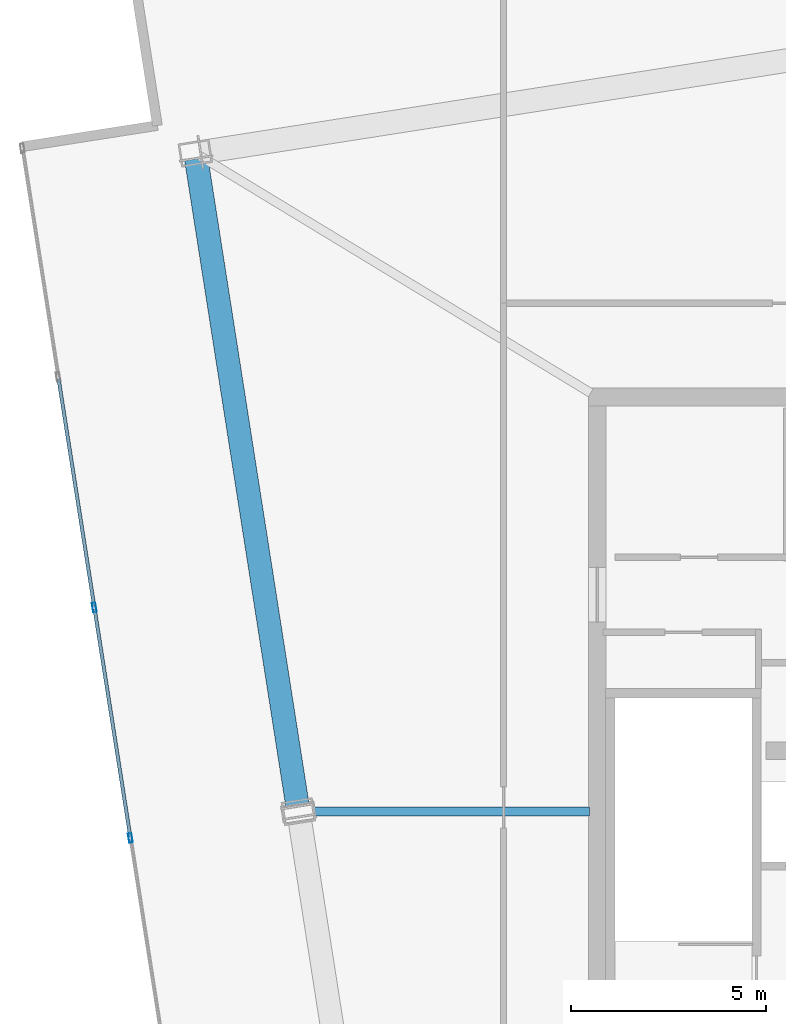
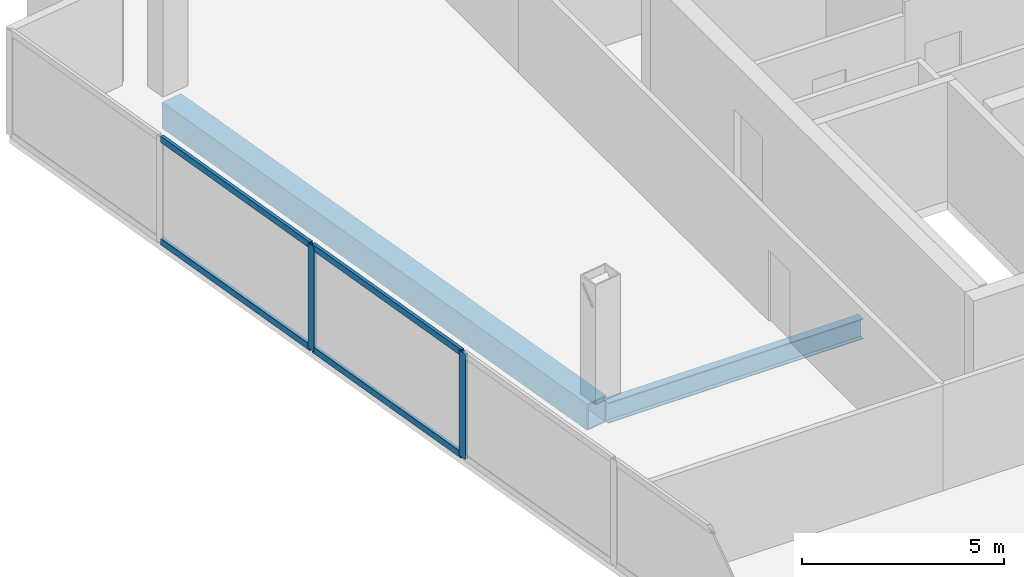
# One storey, part 5 of 17: 6 members, 2 beams, 1 element without a shape of its own.
"""IFC4 building model written with IfcOpenShell, lengths in metres."""

from ifc_helpers import new_model, si_unit, direction, frame, origin, origin_2d, place, context, subcontext, project, spatial, hollow_rectangle, i_section, extrude, material, material_profile, profile_set, type_object, element, aggregate, save


model = new_model("IFC4")

# Units and contexts
model_context = context("Model", 3, precision=1e-05, world=origin(), true_north=direction((0.0, 1.0)))
body_context = subcontext(model_context, "Body", "Model", "MODEL_VIEW")
ifc_project = project(units=[si_unit("LENGTHUNIT", "METRE"), si_unit("AREAUNIT", "SQUARE_METRE"), si_unit("VOLUMEUNIT", "CUBIC_METRE"), si_unit("PLANEANGLEUNIT", "RADIAN"), si_unit("MASSUNIT", "GRAM", prefix="KILO")], contexts=[model_context])

# Site, building, storey
site_placement = place(None, origin())
site = spatial("IfcSite", under=ifc_project, at=site_placement, CompositionType="ELEMENT")
building_placement = place(site_placement, origin())
building = spatial("IfcBuilding", under=site, at=building_placement, Name="Haldenkirk Collegiate Tower", CompositionType="ELEMENT")
storey_placement = place(building_placement, frame((0.0, 0.0, 371.39990234375)))
storey = spatial("IfcBuildingStorey", under=building, at=storey_placement, Name="L94", CompositionType="ELEMENT", Elevation=371.39990234375)

# Beams
ifc_material_1 = material(Name="Steel ASTM A992 Grade 50", Category="steel")
ifc_material_profile_1 = material_profile(ifc_material_1, i_section(OverallWidth=0.22998046875, OverallDepth=0.616943359375, WebThickness=0.01318359375, FlangeThickness=0.022216796875, at=origin_2d()), Name="W24X94")
ifc_profile_set_1 = profile_set([ifc_material_profile_1], Name="Steel ASTM A992 Grade 50")
beam_type_1 = type_object("IfcBeamType", Name="BM-GIRDER-W24X94", PredefinedType="BEAM", material=ifc_profile_set_1)
beam_1_placement = place(storey_placement, frame((19.5029296875, 23.39306640625, -0.578369140625), z_axis=(1.0, 0.0, 0.0), x_axis=(0.0, 1.0, 0.0)))
element("IfcBeam", 1, at=beam_1_placement, inside=storey, type_object=beam_type_1, Name="L94 crown radial floor beam 6", PredefinedType="BEAM", context=body_context, shape_type="SweptSolid", body=[
    extrude(i_section(OverallWidth=0.22998046875, OverallDepth=0.616943359375, WebThickness=0.01318359375, FlangeThickness=0.022216796875, at=origin_2d()), origin(), (0.0, 0.0, 1.0), 7.297119140625),
])
ifc_material_2 = material(Name="Steel ASTM A572 Grade 50", Category="steel")
ifc_material_profile_2 = material_profile(ifc_material_2, hollow_rectangle(XDim=0.60009765625, YDim=0.800048828125, WallThickness=0.0400390625, at=origin_2d()), Name="BOX800X600X40")
ifc_profile_set_2 = profile_set([ifc_material_profile_2], Name="Steel ASTM A572 Grade 50")
beam_type_2 = type_object("IfcBeamType", Name="BM-SPANDREL-BOX800X600X40", PredefinedType="SPANDREL", material=ifc_profile_set_2)
beam_2_placement = place(storey_placement, frame((16.73828125, 40.089599609375, -0.669921875), z_axis=(0.154705009471, -0.987960707743, 0.0), x_axis=(0.987960707743, 0.154705009471, 0.0)))
element("IfcBeam", 2, at=beam_2_placement, inside=storey, type_object=beam_type_2, Name="L94 Crown Ring Frame perimeter girder 5", PredefinedType="SPANDREL", context=body_context, shape_type="SweptSolid", body=[
    extrude(hollow_rectangle(XDim=0.60009765625, YDim=0.800048828125, WallThickness=0.0400390625, at=origin_2d()), origin(), (0.0, 0.0, 1.0), 16.75),
])

# Curtain wall, members
ifc_material_3 = material(Name="Anodised architectural bronze aluminium", Category="aluminium")
curtain_wall_type = type_object("IfcCurtainWallType", Name="CW-SYS6-CROWN", PredefinedType="USERDEFINED", material=ifc_material_3)
curtain_wall_placement = place(storey_placement, origin())
curtain_wall = element("IfcCurtainWall", 3, at=curtain_wall_placement, inside=storey, type_object=curtain_wall_type, Name="L94 Closed crown ring ceramic-fritted bronze screen curtain wall", ObjectType="UNITISED CURTAIN WALL", PredefinedType="USERDEFINED")
ifc_material_profile_3 = material_profile(ifc_material_3, hollow_rectangle(XDim=0.090087890625, YDim=0.239990234375, WallThickness=0.0048828125, at=origin_2d()), Name="CW-MUL-06")
ifc_profile_set_3 = profile_set([ifc_material_profile_3], Name="Anodised architectural bronze aluminium")
member_type_1 = type_object("IfcMemberType", Name="CW-MUL-06", PredefinedType="MULLION", material=ifc_profile_set_3)
member_1_placement = place(storey_placement, frame((15.05517578125, 22.72021484375, 0.0), z_axis=(0.0, 0.0, 1.0), x_axis=(-0.987959532462, -0.154712514742, 0.0)))
member_1 = element("IfcMember", 4, at=member_1_placement, type_object=member_type_1, Name="CW-06 mullion 4", PredefinedType="MULLION", context=body_context, shape_type="SweptSolid", body=[
    extrude(hollow_rectangle(XDim=0.090087890625, YDim=0.239990234375, WallThickness=0.0048828125, at=origin_2d()), origin(), (0.0, 0.0, 1.0), 3.18017578125),
])
member_2_placement = place(storey_placement, frame((14.132080078125, 28.614990234375, 0.0), z_axis=(0.0, 0.0, 1.0), x_axis=(-0.987959532462, -0.154712514742, 0.0)))
member_2 = element("IfcMember", 5, at=member_2_placement, type_object=member_type_1, Name="CW-06 mullion 5", PredefinedType="MULLION", context=body_context, shape_type="SweptSolid", body=[
    extrude(hollow_rectangle(XDim=0.090087890625, YDim=0.239990234375, WallThickness=0.0048828125, at=origin_2d()), origin(), (0.0, 0.0, 1.0), 3.18017578125),
])
ifc_material_profile_4 = material_profile(ifc_material_3, hollow_rectangle(XDim=0.090087890625, YDim=0.18994140625, WallThickness=0.0048828125, at=origin_2d()), Name="CW-TRN-06")
ifc_profile_set_4 = profile_set([ifc_material_profile_4], Name="Anodised architectural bronze aluminium")
member_type_2 = type_object("IfcMemberType", Name="CW-TRN-06", PredefinedType="USERDEFINED", material=ifc_profile_set_4)
member_3_placement = place(storey_placement, frame((15.04833984375, 22.7646484375, 0.045166015625), z_axis=(-0.154710174658, 0.987959898912, 0.0), x_axis=(-0.987959898912, -0.154710174658, 0.0)))
member_3 = element("IfcMember", 6, at=member_3_placement, type_object=member_type_2, Name="CW-06 transom 4.1", ObjectType="TRANSOM", PredefinedType="USERDEFINED", context=body_context, shape_type="SweptSolid", body=[
    extrude(hollow_rectangle(XDim=0.090087890625, YDim=0.18994140625, WallThickness=0.0048828125, at=origin_2d()), origin(), (0.0, 0.0, 1.0), 5.876708984375),
])
member_4_placement = place(storey_placement, frame((15.04833984375, 22.7646484375, 3.135009765625), z_axis=(-0.154710174658, 0.987959898912, 0.0), x_axis=(-0.987959898912, -0.154710174658, 0.0)))
member_4 = element("IfcMember", 7, at=member_4_placement, type_object=member_type_2, Name="CW-06 transom 4.2", ObjectType="TRANSOM", PredefinedType="USERDEFINED", context=body_context, shape_type="SweptSolid", body=[
    extrude(hollow_rectangle(XDim=0.090087890625, YDim=0.18994140625, WallThickness=0.0048828125, at=origin_2d()), origin(), (0.0, 0.0, 1.0), 5.876708984375),
])
member_5_placement = place(storey_placement, frame((14.125244140625, 28.659423828125, 0.045166015625), z_axis=(-0.154710174658, 0.987959898912, 0.0), x_axis=(-0.987959898912, -0.154710174658, 0.0)))
member_5 = element("IfcMember", 8, at=member_5_placement, type_object=member_type_2, Name="CW-06 transom 5.1", ObjectType="TRANSOM", PredefinedType="USERDEFINED", context=body_context, shape_type="SweptSolid", body=[
    extrude(hollow_rectangle(XDim=0.090087890625, YDim=0.18994140625, WallThickness=0.0048828125, at=origin_2d()), origin(), (0.0, 0.0, 1.0), 5.876708984375),
])
member_6_placement = place(storey_placement, frame((14.125244140625, 28.659423828125, 3.135009765625), z_axis=(-0.154710174658, 0.987959898912, 0.0), x_axis=(-0.987959898912, -0.154710174658, 0.0)))
member_6 = element("IfcMember", 9, at=member_6_placement, type_object=member_type_2, Name="CW-06 transom 5.2", ObjectType="TRANSOM", PredefinedType="USERDEFINED", context=body_context, shape_type="SweptSolid", body=[
    extrude(hollow_rectangle(XDim=0.090087890625, YDim=0.18994140625, WallThickness=0.0048828125, at=origin_2d()), origin(), (0.0, 0.0, 1.0), 5.876708984375),
])
aggregate(curtain_wall, [member_1, member_2, member_3, member_4, member_5, member_6])

save(model, "model.ifc")
